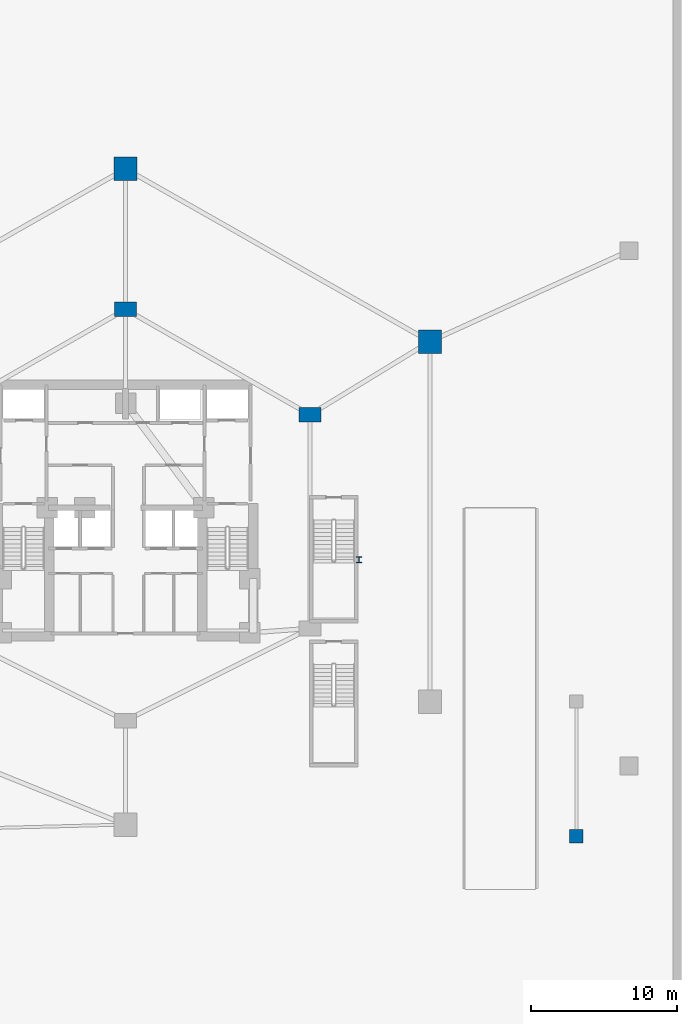
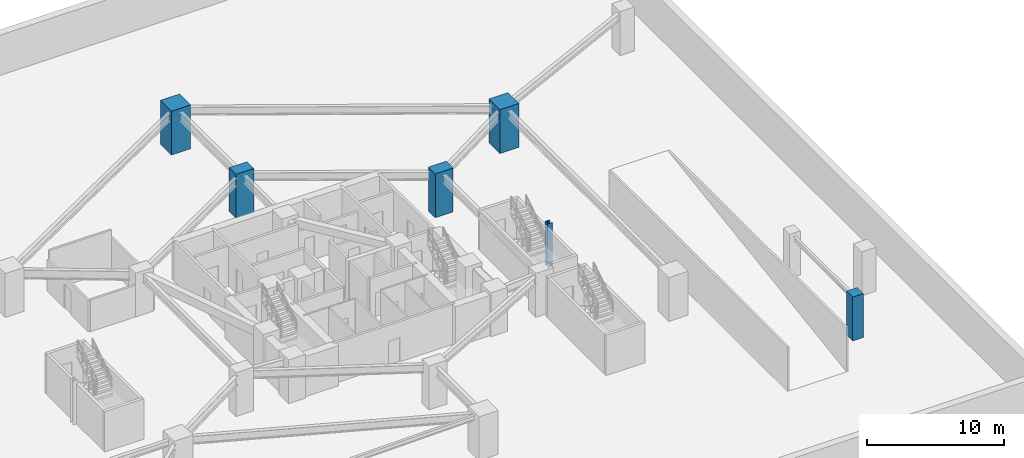
# One storey, part 3 of 12: 6 columns.
"""IFC4 building model written with IfcOpenShell, lengths in metres."""

from ifc_helpers import new_model, si_unit, direction, frame, origin, origin_2d, place, context, subcontext, project, spatial, rectangle, i_section, extrude, material, material_profile, profile_set, type_object, element, save


model = new_model("IFC4")

# Units and contexts
model_context = context("Model", 3, precision=1e-05, world=origin(), true_north=direction((0.0, 1.0)))
body_context = subcontext(model_context, "Body", "Model", "MODEL_VIEW")
ifc_project = project(units=[si_unit("LENGTHUNIT", "METRE"), si_unit("AREAUNIT", "SQUARE_METRE"), si_unit("VOLUMEUNIT", "CUBIC_METRE"), si_unit("PLANEANGLEUNIT", "RADIAN"), si_unit("MASSUNIT", "GRAM", prefix="KILO")], contexts=[model_context])

# Site, building, storey
site_placement = place(None, origin())
site = spatial("IfcSite", under=ifc_project, at=site_placement, CompositionType="ELEMENT")
building_placement = place(site_placement, origin())
building = spatial("IfcBuilding", under=site, at=building_placement, Name="Miruveldt Soraemaru", CompositionType="ELEMENT")
storey_placement = place(building_placement, frame((0.0, 0.0, -7.800048828125)))
storey = spatial("IfcBuildingStorey", under=building, at=storey_placement, Name="B2", CompositionType="ELEMENT", Elevation=-7.800048828125)

# Columns
ifc_material_1 = material(Name="Concrete C50/60 (50 MPa)", Category="concrete")
ifc_material_profile_1 = material_profile(ifc_material_1, rectangle(XDim=0.89990234375, YDim=0.89990234375, at=origin_2d()), Name="Concrete C50/60 (50 MPa)", Category="concrete")
ifc_profile_set_1 = profile_set([ifc_material_profile_1], Name="Concrete C50/60 (50 MPa)")
column_type_1 = type_object("IfcColumnType", Name="COL-CORE-900", PredefinedType="COLUMN", material=ifc_profile_set_1)
column_1_placement = place(storey_placement, frame((74.800048828125, 21.60009765625, 0.0), z_axis=(0.0, 0.0, 1.0), x_axis=(1.0, 0.0, 0.0)))
element("IfcColumn", 1, at=column_1_placement, inside=storey, type_object=column_type_1, Name="B2 Structural Column PF03", PredefinedType="COLUMN", context=body_context, shape_type="SweptSolid", body=[
    extrude(rectangle(XDim=0.89990234375, YDim=0.89990234375, at=origin_2d()), origin(), (0.0, 0.0, 1.0), 3.900146484375),
])
ifc_material_2 = material(Name="Concrete C80/95 (80 MPa)", Category="concrete")
ifc_material_profile_2 = material_profile(ifc_material_2, rectangle(XDim=1.60009765625, YDim=1.60009765625, at=origin_2d()), Name="Concrete C80/95 (80 MPa)", Category="concrete")
ifc_profile_set_2 = profile_set([ifc_material_profile_2], Name="Concrete C80/95 (80 MPa)")
column_type_2 = type_object("IfcColumnType", Name="COL-MEGA-1600", PredefinedType="COLUMN", material=ifc_profile_set_2)
for number, where, z_axis, x_axis, name in (
    (2, (44.0, 67.199951171875, 0.0), (0.0, 0.0, 1.0), (1.0, 0.0, 0.0), "B2 Structural Column PM01"),
    (3, (64.800048828125, 55.39990234375, 0.0), (0.0, 0.0, 1.0), (1.0, 0.0, 0.0), "B2 Structural Column PM02"),
):
    element("IfcColumn", number, at=place(storey_placement, frame(where, z_axis=z_axis, x_axis=x_axis)), inside=storey, type_object=column_type_2, Name=name, PredefinedType="COLUMN", context=body_context, shape_type="SweptSolid", body=[
        extrude(rectangle(XDim=1.60009765625, YDim=1.60009765625, at=origin_2d()), origin(), (0.0, 0.0, 1.0), 3.900146484375),
    ])
ifc_material_3 = material(Name="Steel S460 (460 MPa)", Category="steel")
ifc_material_profile_3 = material_profile(ifc_material_3, i_section(OverallWidth=0.39990234375, OverallDepth=0.39990234375, WebThickness=0.012939453125, FlangeThickness=0.02099609375, FilletRadius=0.02197265625, at=origin_2d()), Name="Steel S460 (460 MPa)", Category="steel")
ifc_profile_set_3 = profile_set([ifc_material_profile_3], Name="Steel S460 (460 MPa)")
column_type_3 = type_object("IfcColumnType", Name="COL-PIL-400", PredefinedType="PILASTER", material=ifc_profile_set_3)
column_2_placement = place(storey_placement, frame((59.949951171875, 40.5, 0.0), z_axis=(0.0, 0.0, 1.0), x_axis=(1.0, 0.0, 0.0)))
element("IfcColumn", 4, at=column_2_placement, inside=storey, type_object=column_type_3, Name="B2 Structural Column PIL2", PredefinedType="PILASTER", context=body_context, shape_type="SweptSolid", body=[
    extrude(i_section(OverallWidth=0.39990234375, OverallDepth=0.39990234375, WebThickness=0.012939453125, FlangeThickness=0.02099609375, FilletRadius=0.02197265625, at=origin_2d()), origin(), (0.0, 0.0, 1.0), 3.900146484375),
])
ifc_material_profile_4 = material_profile(ifc_material_2, rectangle(XDim=1.5, YDim=1.0, at=origin_2d()), Name="Concrete C80/95 (80 MPa)", Category="concrete")
ifc_profile_set_4 = profile_set([ifc_material_profile_4], Name="Concrete C80/95 (80 MPa)")
column_type_4 = type_object("IfcColumnType", Name="COL-TW-Z1A", PredefinedType="COLUMN", material=ifc_profile_set_4)
for number, where, z_axis, x_axis, name in (
    (5, (44.0, 57.60009765625, 0.0), (0.0, 0.0, 1.0), (1.0, 0.0, 0.0), "B2 Structural Column IR01"),
    (6, (56.60009765625, 50.39990234375, 0.0), (0.0, 0.0, 1.0), (1.0, 0.0, 0.0), "B2 Structural Column IR02"),
):
    element("IfcColumn", number, at=place(storey_placement, frame(where, z_axis=z_axis, x_axis=x_axis)), inside=storey, type_object=column_type_4, Name=name, PredefinedType="COLUMN", context=body_context, shape_type="SweptSolid", body=[
        extrude(rectangle(XDim=1.5, YDim=1.0, at=origin_2d()), origin(), (0.0, 0.0, 1.0), 3.900146484375),
    ])

save(model, "model.ifc")
